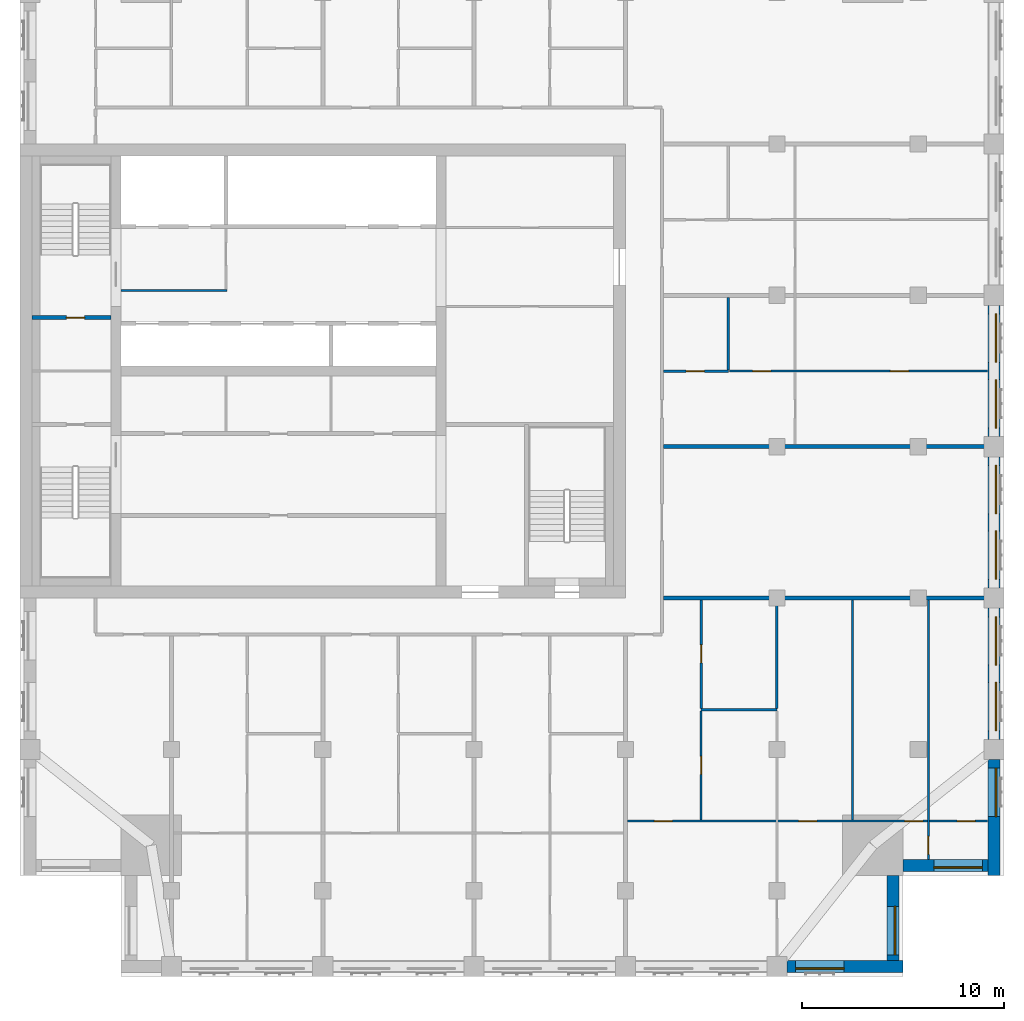
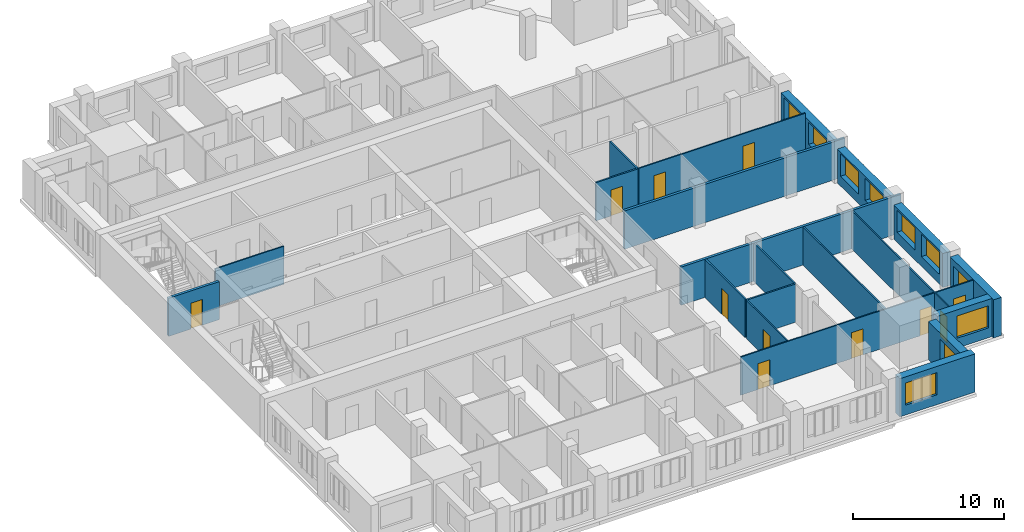
# One storey, part 5 of 11: 21 walls, 11 doors, 10 windows, 21 openings.
"""IFC4 building model written with IfcOpenShell, lengths in metres."""

from ifc_helpers import new_model, si_unit, direction, frame, frame_2d, origin, place, context, subcontext, project, spatial, rectangle, extrude, material, layer, layer_set, type_object, element, fill, save


model = new_model("IFC4")

# Units and contexts
model_context = context("Model", 3, precision=1e-05, world=origin(), true_north=direction((0.0, 1.0)))
body_context = subcontext(model_context, "Body", "Model", "MODEL_VIEW")
ifc_project = project(units=[si_unit("LENGTHUNIT", "METRE"), si_unit("AREAUNIT", "SQUARE_METRE"), si_unit("VOLUMEUNIT", "CUBIC_METRE"), si_unit("PLANEANGLEUNIT", "RADIAN"), si_unit("MASSUNIT", "GRAM", prefix="KILO")], contexts=[model_context])

# Site, building, storey
site_placement = place(None, origin())
site = spatial("IfcSite", under=ifc_project, at=site_placement, CompositionType="ELEMENT")
building_placement = place(site_placement, origin())
building = spatial("IfcBuilding", under=site, at=building_placement, Name="Tamorin Gate", CompositionType="ELEMENT")
storey_placement = place(building_placement, frame((0.0, 0.0, 254.699951171875)))
storey = spatial("IfcBuildingStorey", under=building, at=storey_placement, Name="L64", CompositionType="ELEMENT", Elevation=254.699951171875)

# Wall, opening, window
ifc_material_1 = material(Name="Precast concrete C40/50", Category="concrete")
ifc_layer_1 = layer(ifc_material_1, 0.60009765625)
ifc_layer_set_1 = layer_set([ifc_layer_1], Name="Precast concrete C40/50")
wall_type_1 = type_object("IfcWallType", Name="Board-marked concrete facade panel 600", PredefinedType="SOLIDWALL", material=ifc_layer_set_1)
wall_1_placement = place(storey_placement, frame((68.0, 41.75, 0.0), z_axis=(0.0, 0.0, 1.0), x_axis=(1.0, 0.0, 0.0)))
wall_1 = element("IfcWall", 1, at=wall_1_placement, inside=storey, type_object=wall_type_1, Name="Facade panel", PredefinedType="SOLIDWALL", context=body_context, shape_type="SweptSolid", body=[
    extrude(rectangle(XDim=5.75, YDim=0.60009765625, at=frame_2d((2.875, 0.0))), origin(), (0.0, 0.0, 1.0), 3.10009765625),
])
opening_1_placement = place(wall_1_placement, frame((0.425048828125, 0.0, 0.800048828125)))
opening_1 = element("IfcOpeningElement", 2, at=opening_1_placement, cuts=wall_1, Name="Opening WN1", PredefinedType="OPENING", context=body_context, shape_type="SweptSolid", body=[
    extrude(rectangle(XDim=2.39990234375, YDim=1.800048828125, at=frame_2d((1.199951171875, 0.89990234375))), frame((0.0, 0.31005859375, 0.0), z_axis=(0.0, -1.0, 0.0), x_axis=(1.0, 0.0, 0.0)), (0.0, 0.0, 1.0), 0.6201171875),
])
ifc_material_2 = material(Name="Clear glass in aluminium frame", Category="aluminium")
window_type = type_object("IfcWindowType", Name="Deep-set window 2400x1800", PartitioningType="SINGLE_PANEL", PredefinedType="WINDOW", material=ifc_material_2)
window_1_placement = place(opening_1_placement, origin())
window_1 = element("IfcWindow", 3, at=window_1_placement, inside=storey, type_object=window_type, Name="Deep-set window", OverallHeight=1.800048828125, OverallWidth=2.39990234375, PartitioningType="SINGLE_PANEL", PredefinedType="WINDOW", context=body_context, shape_type="SweptSolid", body=[
    extrude(rectangle(XDim=2.39990234375, YDim=1.800048828125, at=frame_2d((1.199951171875, 0.89990234375))), frame((0.0, -0.070068359375, 0.0), z_axis=(0.0, -1.0, 0.0), x_axis=(1.0, 0.0, 0.0)), (0.0, 0.0, 1.0), 0.06005859375),
])
fill(opening_1, window_1)

wall_2_placement = place(storey_placement, frame((73.25, 42.050048828125, 0.0), z_axis=(0.0, 0.0, 1.0), x_axis=(0.0, 1.0, 0.0)))
wall_2 = element("IfcWall", 4, at=wall_2_placement, inside=storey, type_object=wall_type_1, Name="Facade panel", PredefinedType="SOLIDWALL", context=body_context, shape_type="SweptSolid", body=[
    extrude(rectangle(XDim=4.199951171875, YDim=0.60009765625, at=frame_2d((2.10009765625, 0.0))), origin(), (0.0, 0.0, 1.0), 3.10009765625),
])
opening_2_placement = place(wall_2_placement, frame((0.27490234375, 0.0, 0.800048828125)))
opening_2 = element("IfcOpeningElement", 5, at=opening_2_placement, cuts=wall_2, Name="Opening WN1", PredefinedType="OPENING", context=body_context, shape_type="SweptSolid", body=[
    extrude(rectangle(XDim=2.39990234375, YDim=1.800048828125, at=frame_2d((1.199951171875, 0.89990234375))), frame((0.0, 0.31005859375, 0.0), z_axis=(0.0, -1.0, 0.0), x_axis=(1.0, 0.0, 0.0)), (0.0, 0.0, 1.0), 0.6201171875),
])
window_2_placement = place(opening_2_placement, origin())
window_2 = element("IfcWindow", 6, at=window_2_placement, inside=storey, type_object=window_type, Name="Deep-set window", OverallHeight=1.800048828125, OverallWidth=2.39990234375, PartitioningType="SINGLE_PANEL", PredefinedType="WINDOW", context=body_context, shape_type="SweptSolid", body=[
    extrude(rectangle(XDim=2.39990234375, YDim=1.800048828125, at=frame_2d((1.199951171875, 0.89990234375))), frame((0.0, -0.070068359375, 0.0), z_axis=(0.0, -1.0, 0.0), x_axis=(1.0, 0.0, 0.0)), (0.0, 0.0, 1.0), 0.06005859375),
])
fill(opening_2, window_2)

wall_3_placement = place(storey_placement, frame((73.75, 46.75, 0.0), z_axis=(0.0, 0.0, 1.0), x_axis=(1.0, 0.0, 0.0)))
wall_3 = element("IfcWall", 7, at=wall_3_placement, inside=storey, type_object=wall_type_1, Name="Facade panel", PredefinedType="SOLIDWALL", context=body_context, shape_type="SweptSolid", body=[
    extrude(rectangle(XDim=4.199951171875, YDim=0.60009765625, at=frame_2d((2.10009765625, 0.0))), origin(), (0.0, 0.0, 1.0), 3.10009765625),
])
opening_3_placement = place(wall_3_placement, frame((1.52490234375, 0.0, 0.800048828125)))
opening_3 = element("IfcOpeningElement", 8, at=opening_3_placement, cuts=wall_3, Name="Opening WN1", PredefinedType="OPENING", context=body_context, shape_type="SweptSolid", body=[
    extrude(rectangle(XDim=2.39990234375, YDim=1.800048828125, at=frame_2d((1.199951171875, 0.89990234375))), frame((0.0, 0.31005859375, 0.0), z_axis=(0.0, -1.0, 0.0), x_axis=(1.0, 0.0, 0.0)), (0.0, 0.0, 1.0), 0.6201171875),
])
window_3_placement = place(opening_3_placement, origin())
window_3 = element("IfcWindow", 9, at=window_3_placement, inside=storey, type_object=window_type, Name="Deep-set window", OverallHeight=1.800048828125, OverallWidth=2.39990234375, PartitioningType="SINGLE_PANEL", PredefinedType="WINDOW", context=body_context, shape_type="SweptSolid", body=[
    extrude(rectangle(XDim=2.39990234375, YDim=1.800048828125, at=frame_2d((1.199951171875, 0.89990234375))), frame((0.0, -0.070068359375, 0.0), z_axis=(0.0, -1.0, 0.0), x_axis=(1.0, 0.0, 0.0)), (0.0, 0.0, 1.0), 0.06005859375),
])
fill(opening_3, window_3)

wall_4_placement = place(storey_placement, frame((78.25, 46.25, 0.0), z_axis=(0.0, 0.0, 1.0), x_axis=(0.0, 1.0, 0.0)))
wall_4 = element("IfcWall", 10, at=wall_4_placement, inside=storey, type_object=wall_type_1, Name="Facade panel", PredefinedType="SOLIDWALL", context=body_context, shape_type="SweptSolid", body=[
    extrude(rectangle(XDim=5.75, YDim=0.60009765625, at=frame_2d((2.875, 0.0))), origin(), (0.0, 0.0, 1.0), 3.10009765625),
])
opening_4_placement = place(wall_4_placement, frame((2.925048828125, 0.0, 0.800048828125)))
opening_4 = element("IfcOpeningElement", 11, at=opening_4_placement, cuts=wall_4, Name="Opening WN1", PredefinedType="OPENING", context=body_context, shape_type="SweptSolid", body=[
    extrude(rectangle(XDim=2.39990234375, YDim=1.800048828125, at=frame_2d((1.199951171875, 0.89990234375))), frame((0.0, 0.31005859375, 0.0), z_axis=(0.0, -1.0, 0.0), x_axis=(1.0, 0.0, 0.0)), (0.0, 0.0, 1.0), 0.6201171875),
])
window_4_placement = place(opening_4_placement, origin())
window_4 = element("IfcWindow", 12, at=window_4_placement, inside=storey, type_object=window_type, Name="Deep-set window", OverallHeight=1.800048828125, OverallWidth=2.39990234375, PartitioningType="SINGLE_PANEL", PredefinedType="WINDOW", context=body_context, shape_type="SweptSolid", body=[
    extrude(rectangle(XDim=2.39990234375, YDim=1.800048828125, at=frame_2d((1.199951171875, 0.89990234375))), frame((0.0, -0.070068359375, 0.0), z_axis=(0.0, -1.0, 0.0), x_axis=(1.0, 0.0, 0.0)), (0.0, 0.0, 1.0), 0.06005859375),
])
fill(opening_4, window_4)

# Wall, openings, windows
wall_5_placement = place(storey_placement, frame((78.25, 53.0, 0.0), z_axis=(0.0, 0.0, 1.0), x_axis=(0.0, 1.0, 0.0)))
wall_5 = element("IfcWall", 13, at=wall_5_placement, inside=storey, type_object=wall_type_1, Name="Facade panel", PredefinedType="SOLIDWALL", context=body_context, shape_type="SweptSolid", body=[
    extrude(rectangle(XDim=6.5, YDim=0.60009765625, at=frame_2d((3.25, 0.0))), origin(), (0.0, 0.0, 1.0), 2.75),
])
opening_5_placement = place(wall_5_placement, frame((0.425048828125, 0.0, 0.800048828125)))
opening_5 = element("IfcOpeningElement", 14, at=opening_5_placement, cuts=wall_5, Name="Opening WN1", PredefinedType="OPENING", context=body_context, shape_type="SweptSolid", body=[
    extrude(rectangle(XDim=2.39990234375, YDim=1.800048828125, at=frame_2d((1.199951171875, 0.89990234375))), frame((0.0, 0.31005859375, 0.0), z_axis=(0.0, -1.0, 0.0), x_axis=(1.0, 0.0, 0.0)), (0.0, 0.0, 1.0), 0.6201171875),
])
opening_6_placement = place(wall_5_placement, frame((3.675048828125, 0.0, 0.800048828125)))
opening_6 = element("IfcOpeningElement", 15, at=opening_6_placement, cuts=wall_5, Name="Opening WN1", PredefinedType="OPENING", context=body_context, shape_type="SweptSolid", body=[
    extrude(rectangle(XDim=2.39990234375, YDim=1.800048828125, at=frame_2d((1.199951171875, 0.89990234375))), frame((0.0, 0.31005859375, 0.0), z_axis=(0.0, -1.0, 0.0), x_axis=(1.0, 0.0, 0.0)), (0.0, 0.0, 1.0), 0.6201171875),
])
window_5_placement = place(opening_5_placement, origin())
window_5 = element("IfcWindow", 16, at=window_5_placement, inside=storey, type_object=window_type, Name="Deep-set window", OverallHeight=1.800048828125, OverallWidth=2.39990234375, PartitioningType="SINGLE_PANEL", PredefinedType="WINDOW", context=body_context, shape_type="SweptSolid", body=[
    extrude(rectangle(XDim=2.39990234375, YDim=1.800048828125, at=frame_2d((1.199951171875, 0.89990234375))), frame((0.0, -0.070068359375, 0.0), z_axis=(0.0, -1.0, 0.0), x_axis=(1.0, 0.0, 0.0)), (0.0, 0.0, 1.0), 0.06005859375),
])
fill(opening_5, window_5)
window_6_placement = place(opening_6_placement, origin())
window_6 = element("IfcWindow", 17, at=window_6_placement, inside=storey, type_object=window_type, Name="Deep-set window", OverallHeight=1.800048828125, OverallWidth=2.39990234375, PartitioningType="SINGLE_PANEL", PredefinedType="WINDOW", context=body_context, shape_type="SweptSolid", body=[
    extrude(rectangle(XDim=2.39990234375, YDim=1.800048828125, at=frame_2d((1.199951171875, 0.89990234375))), frame((0.0, -0.070068359375, 0.0), z_axis=(0.0, -1.0, 0.0), x_axis=(1.0, 0.0, 0.0)), (0.0, 0.0, 1.0), 0.06005859375),
])
fill(opening_6, window_6)

wall_6_placement = place(storey_placement, frame((78.25, 60.5, 0.0), z_axis=(0.0, 0.0, 1.0), x_axis=(0.0, 1.0, 0.0)))
wall_6 = element("IfcWall", 18, at=wall_6_placement, inside=storey, type_object=wall_type_1, Name="Facade panel", PredefinedType="SOLIDWALL", context=body_context, shape_type="SweptSolid", body=[
    extrude(rectangle(XDim=6.5, YDim=0.60009765625, at=frame_2d((3.25, 0.0))), origin(), (0.0, 0.0, 1.0), 2.75),
])
opening_7_placement = place(wall_6_placement, frame((0.425048828125, 0.0, 0.800048828125)))
opening_7 = element("IfcOpeningElement", 19, at=opening_7_placement, cuts=wall_6, Name="Opening WN1", PredefinedType="OPENING", context=body_context, shape_type="SweptSolid", body=[
    extrude(rectangle(XDim=2.39990234375, YDim=1.800048828125, at=frame_2d((1.199951171875, 0.89990234375))), frame((0.0, 0.31005859375, 0.0), z_axis=(0.0, -1.0, 0.0), x_axis=(1.0, 0.0, 0.0)), (0.0, 0.0, 1.0), 0.6201171875),
])
opening_8_placement = place(wall_6_placement, frame((3.675048828125, 0.0, 0.800048828125)))
opening_8 = element("IfcOpeningElement", 20, at=opening_8_placement, cuts=wall_6, Name="Opening WN1", PredefinedType="OPENING", context=body_context, shape_type="SweptSolid", body=[
    extrude(rectangle(XDim=2.39990234375, YDim=1.800048828125, at=frame_2d((1.199951171875, 0.89990234375))), frame((0.0, 0.31005859375, 0.0), z_axis=(0.0, -1.0, 0.0), x_axis=(1.0, 0.0, 0.0)), (0.0, 0.0, 1.0), 0.6201171875),
])
window_7_placement = place(opening_7_placement, origin())
window_7 = element("IfcWindow", 21, at=window_7_placement, inside=storey, type_object=window_type, Name="Deep-set window", OverallHeight=1.800048828125, OverallWidth=2.39990234375, PartitioningType="SINGLE_PANEL", PredefinedType="WINDOW", context=body_context, shape_type="SweptSolid", body=[
    extrude(rectangle(XDim=2.39990234375, YDim=1.800048828125, at=frame_2d((1.199951171875, 0.89990234375))), frame((0.0, -0.070068359375, 0.0), z_axis=(0.0, -1.0, 0.0), x_axis=(1.0, 0.0, 0.0)), (0.0, 0.0, 1.0), 0.06005859375),
])
fill(opening_7, window_7)
window_8_placement = place(opening_8_placement, origin())
window_8 = element("IfcWindow", 22, at=window_8_placement, inside=storey, type_object=window_type, Name="Deep-set window", OverallHeight=1.800048828125, OverallWidth=2.39990234375, PartitioningType="SINGLE_PANEL", PredefinedType="WINDOW", context=body_context, shape_type="SweptSolid", body=[
    extrude(rectangle(XDim=2.39990234375, YDim=1.800048828125, at=frame_2d((1.199951171875, 0.89990234375))), frame((0.0, -0.070068359375, 0.0), z_axis=(0.0, -1.0, 0.0), x_axis=(1.0, 0.0, 0.0)), (0.0, 0.0, 1.0), 0.06005859375),
])
fill(opening_8, window_8)

wall_7_placement = place(storey_placement, frame((78.25, 68.0, 0.0), z_axis=(0.0, 0.0, 1.0), x_axis=(0.0, 1.0, 0.0)))
wall_7 = element("IfcWall", 23, at=wall_7_placement, inside=storey, type_object=wall_type_1, Name="Facade panel", PredefinedType="SOLIDWALL", context=body_context, shape_type="SweptSolid", body=[
    extrude(rectangle(XDim=6.5, YDim=0.60009765625, at=frame_2d((3.25, 0.0))), origin(), (0.0, 0.0, 1.0), 2.75),
])
opening_9_placement = place(wall_7_placement, frame((0.425048828125, 0.0, 0.800048828125)))
opening_9 = element("IfcOpeningElement", 24, at=opening_9_placement, cuts=wall_7, Name="Opening WN1", PredefinedType="OPENING", context=body_context, shape_type="SweptSolid", body=[
    extrude(rectangle(XDim=2.39990234375, YDim=1.800048828125, at=frame_2d((1.199951171875, 0.89990234375))), frame((0.0, 0.31005859375, 0.0), z_axis=(0.0, -1.0, 0.0), x_axis=(1.0, 0.0, 0.0)), (0.0, 0.0, 1.0), 0.6201171875),
])
opening_10_placement = place(wall_7_placement, frame((3.675048828125, 0.0, 0.800048828125)))
opening_10 = element("IfcOpeningElement", 25, at=opening_10_placement, cuts=wall_7, Name="Opening WN1", PredefinedType="OPENING", context=body_context, shape_type="SweptSolid", body=[
    extrude(rectangle(XDim=2.39990234375, YDim=1.800048828125, at=frame_2d((1.199951171875, 0.89990234375))), frame((0.0, 0.31005859375, 0.0), z_axis=(0.0, -1.0, 0.0), x_axis=(1.0, 0.0, 0.0)), (0.0, 0.0, 1.0), 0.6201171875),
])
window_9_placement = place(opening_9_placement, origin())
window_9 = element("IfcWindow", 26, at=window_9_placement, inside=storey, type_object=window_type, Name="Deep-set window", OverallHeight=1.800048828125, OverallWidth=2.39990234375, PartitioningType="SINGLE_PANEL", PredefinedType="WINDOW", context=body_context, shape_type="SweptSolid", body=[
    extrude(rectangle(XDim=2.39990234375, YDim=1.800048828125, at=frame_2d((1.199951171875, 0.89990234375))), frame((0.0, -0.070068359375, 0.0), z_axis=(0.0, -1.0, 0.0), x_axis=(1.0, 0.0, 0.0)), (0.0, 0.0, 1.0), 0.06005859375),
])
fill(opening_9, window_9)
window_10_placement = place(opening_10_placement, origin())
window_10 = element("IfcWindow", 27, at=window_10_placement, inside=storey, type_object=window_type, Name="Deep-set window", OverallHeight=1.800048828125, OverallWidth=2.39990234375, PartitioningType="SINGLE_PANEL", PredefinedType="WINDOW", context=body_context, shape_type="SweptSolid", body=[
    extrude(rectangle(XDim=2.39990234375, YDim=1.800048828125, at=frame_2d((1.199951171875, 0.89990234375))), frame((0.0, -0.070068359375, 0.0), z_axis=(0.0, -1.0, 0.0), x_axis=(1.0, 0.0, 0.0)), (0.0, 0.0, 1.0), 0.06005859375),
])
fill(opening_10, window_10)

# Walls
ifc_material_3 = material(Name="Gypsum board partition")
ifc_layer_2 = layer(ifc_material_3, 0.199951171875)
ifc_layer_set_2 = layer_set([ifc_layer_2], Name="Demising wall 200")
wall_type_2 = type_object("IfcWallType", Name="Demising wall 200", PredefinedType="PARTITIONING", material=ifc_layer_set_2)
for number, where, z_axis, x_axis, name in (
    (28, (61.875, 60.0, 0.0), (0.0, 0.0, 1.0), (1.0, 0.0, 0.0), "Demising wall 200"),
    (29, (61.875, 67.5, 0.0), (0.0, 0.0, 1.0), (1.0, 0.0, 0.0), "Demising wall 200"),
):
    element("IfcWall", number, at=place(storey_placement, frame(where, z_axis=z_axis, x_axis=x_axis)), inside=storey, type_object=wall_type_2, Name=name, PredefinedType="PARTITIONING", context=body_context, shape_type="SweptSolid", body=[
        extrude(rectangle(XDim=16.875, YDim=0.199951171875, at=frame_2d((8.4375, 0.0))), origin(), (0.0, 0.0, 1.0), 3.10009765625),
    ])
ifc_material_4 = material(Name="Fire-rated gypsum board partition")
ifc_layer_3 = layer(ifc_material_4, 0.10009765625)
ifc_layer_set_3 = layer_set([ifc_layer_3], Name="Lobby wall 100 EI 60")
wall_type_3 = type_object("IfcWallType", Name="Lobby wall 100 EI 60", PredefinedType="PARTITIONING", material=ifc_layer_set_3)
wall_8_placement = place(storey_placement, frame((35.0, 75.25, 0.0), z_axis=(0.0, 0.0, 1.0), x_axis=(1.0, 0.0, 0.0)))
element("IfcWall", 30, at=wall_8_placement, inside=storey, type_object=wall_type_3, Name="Firefighting lobby wall", PredefinedType="PARTITIONING", context=body_context, shape_type="SweptSolid", body=[
    extrude(rectangle(XDim=5.25, YDim=0.10009765625, at=frame_2d((2.625, 0.0))), origin(), (0.0, 0.0, 1.0), 3.090087890625),
])

# Wall, openings, doors
ifc_layer_4 = layer(ifc_material_3, 0.10009765625)
ifc_layer_set_4 = layer_set([ifc_layer_4], Name="Room partition 100")
wall_type_4 = type_object("IfcWallType", Name="Room partition 100", PredefinedType="PARTITIONING", material=ifc_layer_set_4)
wall_9_placement = place(storey_placement, frame((60.10009765625, 48.949951171875, 0.0), z_axis=(0.0, 0.0, 1.0), x_axis=(1.0, 0.0, 0.0)))
wall_9 = element("IfcWall", 31, at=wall_9_placement, inside=storey, type_object=wall_type_4, Name="Room partition 100", PredefinedType="PARTITIONING", context=body_context, shape_type="SweptSolid", body=[
    extrude(rectangle(XDim=17.83984375, YDim=0.10009765625, at=frame_2d((8.919921875, 0.0))), origin(), (0.0, 0.0, 1.0), 3.10009765625),
])
opening_11_placement = place(wall_9_placement, frame((1.324951171875, 0.0, 0.0)))
opening_11 = element("IfcOpeningElement", 32, at=opening_11_placement, cuts=wall_9, Name="Opening DR6017", PredefinedType="OPENING", context=body_context, shape_type="SweptSolid", body=[
    extrude(rectangle(XDim=0.89990234375, YDim=2.10009765625, at=frame_2d((0.449951171875, 1.050048828125))), frame((0.0, 0.06005859375, 0.0), z_axis=(0.0, -1.0, 0.0), x_axis=(1.0, 0.0, 0.0)), (0.0, 0.0, 1.0), 0.1201171875),
])
opening_12_placement = place(wall_9_placement, frame((8.47509765625, 0.0, 0.0)))
opening_12 = element("IfcOpeningElement", 33, at=opening_12_placement, cuts=wall_9, Name="Opening DR6020", PredefinedType="OPENING", context=body_context, shape_type="SweptSolid", body=[
    extrude(rectangle(XDim=0.89990234375, YDim=2.10009765625, at=frame_2d((0.449951171875, 1.050048828125))), frame((0.0, 0.06005859375, 0.0), z_axis=(0.0, -1.0, 0.0), x_axis=(1.0, 0.0, 0.0)), (0.0, 0.0, 1.0), 0.1201171875),
])
opening_13_placement = place(wall_9_placement, frame((13.72509765625, 0.0, 0.0)))
opening_13 = element("IfcOpeningElement", 34, at=opening_13_placement, cuts=wall_9, Name="Opening DR6021", PredefinedType="OPENING", context=body_context, shape_type="SweptSolid", body=[
    extrude(rectangle(XDim=0.89990234375, YDim=2.10009765625, at=frame_2d((0.449951171875, 1.050048828125))), frame((0.0, 0.06005859375, 0.0), z_axis=(0.0, -1.0, 0.0), x_axis=(1.0, 0.0, 0.0)), (0.0, 0.0, 1.0), 0.1201171875),
])
opening_14_placement = place(wall_9_placement, frame((16.324951171875, 0.0, 0.0)))
opening_14 = element("IfcOpeningElement", 35, at=opening_14_placement, cuts=wall_9, Name="Opening DR6022", PredefinedType="OPENING", context=body_context, shape_type="SweptSolid", body=[
    extrude(rectangle(XDim=0.89990234375, YDim=2.10009765625, at=frame_2d((0.449951171875, 1.050048828125))), frame((0.0, 0.06005859375, 0.0), z_axis=(0.0, -1.0, 0.0), x_axis=(1.0, 0.0, 0.0)), (0.0, 0.0, 1.0), 0.1201171875),
])
ifc_material_5 = material(Name="Timber door leaf", Category="wood")
door_type_1 = type_object("IfcDoorType", Name="Door 900 x 2100", OperationType="NOTDEFINED", PredefinedType="DOOR", material=ifc_material_5)
door_1_placement = place(opening_11_placement, origin())
door_1 = element("IfcDoor", 36, at=door_1_placement, inside=storey, type_object=door_type_1, Name="Door DR6017", OperationType="SINGLE_SWING_LEFT", OverallHeight=2.10009765625, OverallWidth=0.89990234375, PredefinedType="DOOR", context=body_context, shape_type="SweptSolid", body=[
    extrude(rectangle(XDim=0.89990234375, YDim=2.10009765625, at=frame_2d((0.449951171875, 1.050048828125))), frame((0.0, 0.02490234375, 0.0), z_axis=(0.0, -1.0, 0.0), x_axis=(1.0, 0.0, 0.0)), (0.0, 0.0, 1.0), 0.050048828125),
])
fill(opening_11, door_1)
door_2_placement = place(opening_12_placement, origin())
door_2 = element("IfcDoor", 37, at=door_2_placement, inside=storey, type_object=door_type_1, Name="Door DR6020", OperationType="SINGLE_SWING_LEFT", OverallHeight=2.10009765625, OverallWidth=0.89990234375, PredefinedType="DOOR", context=body_context, shape_type="SweptSolid", body=[
    extrude(rectangle(XDim=0.89990234375, YDim=2.10009765625, at=frame_2d((0.449951171875, 1.050048828125))), frame((0.0, 0.02490234375, 0.0), z_axis=(0.0, -1.0, 0.0), x_axis=(1.0, 0.0, 0.0)), (0.0, 0.0, 1.0), 0.050048828125),
])
fill(opening_12, door_2)
door_3_placement = place(opening_13_placement, origin())
door_3 = element("IfcDoor", 38, at=door_3_placement, inside=storey, type_object=door_type_1, Name="Door DR6021", OperationType="SINGLE_SWING_RIGHT", OverallHeight=2.10009765625, OverallWidth=0.89990234375, PredefinedType="DOOR", context=body_context, shape_type="SweptSolid", body=[
    extrude(rectangle(XDim=0.89990234375, YDim=2.10009765625, at=frame_2d((0.449951171875, 1.050048828125))), frame((0.0, 0.02490234375, 0.0), z_axis=(0.0, -1.0, 0.0), x_axis=(1.0, 0.0, 0.0)), (0.0, 0.0, 1.0), 0.050048828125),
])
fill(opening_13, door_3)
door_4_placement = place(opening_14_placement, origin())
door_4 = element("IfcDoor", 39, at=door_4_placement, inside=storey, type_object=door_type_1, Name="Door DR6022", OperationType="SINGLE_SWING_LEFT", OverallHeight=2.10009765625, OverallWidth=0.89990234375, PredefinedType="DOOR", context=body_context, shape_type="SweptSolid", body=[
    extrude(rectangle(XDim=0.89990234375, YDim=2.10009765625, at=frame_2d((0.449951171875, 1.050048828125))), frame((0.0, 0.02490234375, 0.0), z_axis=(0.0, -1.0, 0.0), x_axis=(1.0, 0.0, 0.0)), (0.0, 0.0, 1.0), 0.050048828125),
])
fill(opening_14, door_4)

wall_10_placement = place(storey_placement, frame((65.16259765625, 71.25, 0.0), z_axis=(0.0, 0.0, 1.0), x_axis=(1.0, 0.0, 0.0)))
wall_10 = element("IfcWall", 40, at=wall_10_placement, inside=storey, type_object=wall_type_4, Name="Room partition 100", PredefinedType="PARTITIONING", context=body_context, shape_type="SweptSolid", body=[
    extrude(rectangle(XDim=12.77734375, YDim=0.10009765625, at=frame_2d((6.388671875, 0.0))), origin(), (0.0, 0.0, 1.0), 3.10009765625),
])
opening_15_placement = place(wall_10_placement, frame((1.137451171875, 0.0, 0.0)))
opening_15 = element("IfcOpeningElement", 41, at=opening_15_placement, cuts=wall_10, Name="Opening DR6047", PredefinedType="OPENING", context=body_context, shape_type="SweptSolid", body=[
    extrude(rectangle(XDim=0.89990234375, YDim=2.10009765625, at=frame_2d((0.449951171875, 1.050048828125))), frame((0.0, 0.06005859375, 0.0), z_axis=(0.0, -1.0, 0.0), x_axis=(1.0, 0.0, 0.0)), (0.0, 0.0, 1.0), 0.1201171875),
])
opening_16_placement = place(wall_10_placement, frame((7.96240234375, 0.0, 0.0)))
opening_16 = element("IfcOpeningElement", 42, at=opening_16_placement, cuts=wall_10, Name="Opening DR6049", PredefinedType="OPENING", context=body_context, shape_type="SweptSolid", body=[
    extrude(rectangle(XDim=0.89990234375, YDim=2.10009765625, at=frame_2d((0.449951171875, 1.050048828125))), frame((0.0, 0.06005859375, 0.0), z_axis=(0.0, -1.0, 0.0), x_axis=(1.0, 0.0, 0.0)), (0.0, 0.0, 1.0), 0.1201171875),
])
door_5_placement = place(opening_15_placement, origin())
door_5 = element("IfcDoor", 43, at=door_5_placement, inside=storey, type_object=door_type_1, Name="Door DR6047", OperationType="SINGLE_SWING_LEFT", OverallHeight=2.10009765625, OverallWidth=0.89990234375, PredefinedType="DOOR", context=body_context, shape_type="SweptSolid", body=[
    extrude(rectangle(XDim=0.89990234375, YDim=2.10009765625, at=frame_2d((0.449951171875, 1.050048828125))), frame((0.0, 0.02490234375, 0.0), z_axis=(0.0, -1.0, 0.0), x_axis=(1.0, 0.0, 0.0)), (0.0, 0.0, 1.0), 0.050048828125),
])
fill(opening_15, door_5)
door_6_placement = place(opening_16_placement, origin())
door_6 = element("IfcDoor", 44, at=door_6_placement, inside=storey, type_object=door_type_1, Name="Door DR6049", OperationType="SINGLE_SWING_LEFT", OverallHeight=2.10009765625, OverallWidth=0.89990234375, PredefinedType="DOOR", context=body_context, shape_type="SweptSolid", body=[
    extrude(rectangle(XDim=0.89990234375, YDim=2.10009765625, at=frame_2d((0.449951171875, 1.050048828125))), frame((0.0, 0.02490234375, 0.0), z_axis=(0.0, -1.0, 0.0), x_axis=(1.0, 0.0, 0.0)), (0.0, 0.0, 1.0), 0.050048828125),
])
fill(opening_16, door_6)

# Wall, opening, door
wall_11_placement = place(storey_placement, frame((63.75, 49.0, 0.0), z_axis=(0.0, 0.0, 1.0), x_axis=(0.0, 1.0, 0.0)))
wall_11 = element("IfcWall", 45, at=wall_11_placement, inside=storey, type_object=wall_type_4, Name="Room partition 100", PredefinedType="PARTITIONING", context=body_context, shape_type="SweptSolid", body=[
    extrude(rectangle(XDim=5.41259765625, YDim=0.10009765625, at=frame_2d((2.706298828125, 0.0))), origin(), (0.0, 0.0, 1.0), 3.10009765625),
])
opening_17_placement = place(wall_11_placement, frame((2.262451171875, 0.0, 0.0)))
opening_17 = element("IfcOpeningElement", 46, at=opening_17_placement, cuts=wall_11, Name="Opening DR6018", PredefinedType="OPENING", context=body_context, shape_type="SweptSolid", body=[
    extrude(rectangle(XDim=0.89990234375, YDim=2.10009765625, at=frame_2d((0.449951171875, 1.050048828125))), frame((0.0, 0.06005859375, 0.0), z_axis=(0.0, -1.0, 0.0), x_axis=(1.0, 0.0, 0.0)), (0.0, 0.0, 1.0), 0.1201171875),
])
door_7_placement = place(opening_17_placement, origin())
door_7 = element("IfcDoor", 47, at=door_7_placement, inside=storey, type_object=door_type_1, Name="Door DR6018", OperationType="SINGLE_SWING_RIGHT", OverallHeight=2.10009765625, OverallWidth=0.89990234375, PredefinedType="DOOR", context=body_context, shape_type="SweptSolid", body=[
    extrude(rectangle(XDim=0.89990234375, YDim=2.10009765625, at=frame_2d((0.449951171875, 1.050048828125))), frame((0.0, 0.02490234375, 0.0), z_axis=(0.0, -1.0, 0.0), x_axis=(1.0, 0.0, 0.0)), (0.0, 0.0, 1.0), 0.050048828125),
])
fill(opening_17, door_7)

# Wall
wall_12_placement = place(storey_placement, frame((71.25, 49.0, 0.0), z_axis=(0.0, 0.0, 1.0), x_axis=(0.0, 1.0, 0.0)))
element("IfcWall", 48, at=wall_12_placement, inside=storey, type_object=wall_type_4, Name="Room partition 100", PredefinedType="PARTITIONING", context=body_context, shape_type="SweptSolid", body=[
    extrude(rectangle(XDim=10.89990234375, YDim=0.10009765625, at=frame_2d((5.449951171875, 0.0))), origin(), (0.0, 0.0, 1.0), 3.10009765625),
])

# Wall, opening, door
wall_13_placement = place(storey_placement, frame((75.0, 47.06005859375, 0.0), z_axis=(0.0, 0.0, 1.0), x_axis=(0.0, 1.0, 0.0)))
wall_13 = element("IfcWall", 49, at=wall_13_placement, inside=storey, type_object=wall_type_4, Name="Room partition 100", PredefinedType="PARTITIONING", context=body_context, shape_type="SweptSolid", body=[
    extrude(rectangle(XDim=12.83984375, YDim=0.10009765625, at=frame_2d((6.419921875, 0.0))), origin(), (0.0, 0.0, 1.0), 3.10009765625),
])
opening_18_placement = place(wall_13_placement, frame((0.239990234375, 0.0, 0.0)))
opening_18 = element("IfcOpeningElement", 50, at=opening_18_placement, cuts=wall_13, Name="Opening DR6024", PredefinedType="OPENING", context=body_context, shape_type="SweptSolid", body=[
    extrude(rectangle(XDim=0.89990234375, YDim=2.10009765625, at=frame_2d((0.449951171875, 1.050048828125))), frame((0.0, 0.06005859375, 0.0), z_axis=(0.0, -1.0, 0.0), x_axis=(1.0, 0.0, 0.0)), (0.0, 0.0, 1.0), 0.1201171875),
])
door_8_placement = place(opening_18_placement, origin())
door_8 = element("IfcDoor", 51, at=door_8_placement, inside=storey, type_object=door_type_1, Name="Door DR6024", OperationType="SINGLE_SWING_RIGHT", OverallHeight=2.10009765625, OverallWidth=0.89990234375, PredefinedType="DOOR", context=body_context, shape_type="SweptSolid", body=[
    extrude(rectangle(XDim=0.89990234375, YDim=2.10009765625, at=frame_2d((0.449951171875, 1.050048828125))), frame((0.0, 0.02490234375, 0.0), z_axis=(0.0, -1.0, 0.0), x_axis=(1.0, 0.0, 0.0)), (0.0, 0.0, 1.0), 0.050048828125),
])
fill(opening_18, door_8)

ifc_material_6 = material(Name="Concrete C40/50", Category="concrete")
ifc_layer_5 = layer(ifc_material_6, 0.199951171875)
ifc_layer_set_5 = layer_set([ifc_layer_5], Name="Stair enclosure wall 200 EI 120 C40/50")
wall_type_5 = type_object("IfcWallType", Name="Stair enclosure wall 200 EI 120 C40/50", PredefinedType="SOLIDWALL", material=ifc_layer_set_5)
wall_14_placement = place(storey_placement, frame((30.60009765625, 73.89990234375, 0.0), z_axis=(0.0, 0.0, 1.0), x_axis=(1.0, 0.0, 0.0)))
wall_14 = element("IfcWall", 52, at=wall_14_placement, inside=storey, type_object=wall_type_5, Name="Stair enclosure wall", PredefinedType="SOLIDWALL", context=body_context, shape_type="SweptSolid", body=[
    extrude(rectangle(XDim=3.89990234375, YDim=0.199951171875, at=frame_2d((1.949951171875, 0.0))), origin(), (0.0, 0.0, 1.0), 3.090087890625),
])
opening_19_placement = place(wall_14_placement, frame((1.699951171875, 0.0, 0.0)))
opening_19 = element("IfcOpeningElement", 53, at=opening_19_placement, cuts=wall_14, Name="Opening DR1", PredefinedType="OPENING", context=body_context, shape_type="SweptSolid", body=[
    extrude(rectangle(XDim=0.89990234375, YDim=2.10009765625, at=frame_2d((0.449951171875, 1.050048828125))), frame((0.0, 0.10986328125, 0.0), z_axis=(0.0, -1.0, 0.0), x_axis=(1.0, 0.0, 0.0)), (0.0, 0.0, 1.0), 0.219970703125),
])
ifc_material_7 = material(Name="Steel fire door", Category="steel")
door_type_2 = type_object("IfcDoorType", Name="Riser access door 900 x 2100 EI 120", OperationType="SINGLE_SWING_LEFT", PredefinedType="DOOR", material=ifc_material_7)
door_9_placement = place(opening_19_placement, origin())
door_9 = element("IfcDoor", 54, at=door_9_placement, inside=storey, type_object=door_type_2, Name="Communications riser door", OperationType="SINGLE_SWING_RIGHT", OverallHeight=2.10009765625, OverallWidth=0.89990234375, PredefinedType="DOOR", context=body_context, shape_type="SweptSolid", body=[
    extrude(rectangle(XDim=0.89990234375, YDim=2.10009765625, at=frame_2d((0.449951171875, 1.050048828125))), frame((0.0, 0.02490234375, 0.0), z_axis=(0.0, -1.0, 0.0), x_axis=(1.0, 0.0, 0.0)), (0.0, 0.0, 1.0), 0.050048828125),
])
fill(opening_19, door_9)

# Wall
ifc_layer_6 = layer(ifc_material_3, 0.125)
ifc_layer_set_6 = layer_set([ifc_layer_6], Name="Wet wall 125")
wall_type_6 = type_object("IfcWallType", Name="Wet wall 125", PredefinedType="PARTITIONING", material=ifc_layer_set_6)
wall_15_placement = place(storey_placement, frame((63.75, 54.47509765625, 0.0), z_axis=(0.0, 0.0, 1.0), x_axis=(1.0, 0.0, 0.0)))
element("IfcWall", 55, at=wall_15_placement, inside=storey, type_object=wall_type_6, Name="Wet wall 125", PredefinedType="PARTITIONING", context=body_context, shape_type="SweptSolid", body=[
    extrude(rectangle(XDim=3.75, YDim=0.125, at=frame_2d((1.875, 0.0))), origin(), (0.0, 0.0, 1.0), 3.10009765625),
])

# Wall, opening, door
wall_16_placement = place(storey_placement, frame((61.875, 71.25, 0.0), z_axis=(0.0, 0.0, 1.0), x_axis=(1.0, 0.0, 0.0)))
wall_16 = element("IfcWall", 56, at=wall_16_placement, inside=storey, type_object=wall_type_6, Name="Wet wall 125", PredefinedType="PARTITIONING", context=body_context, shape_type="SweptSolid", body=[
    extrude(rectangle(XDim=3.22509765625, YDim=0.125, at=frame_2d((1.612548828125, 0.0))), origin(), (0.0, 0.0, 1.0), 3.10009765625),
])
opening_20_placement = place(wall_16_placement, frame((1.125, 0.0, 0.0)))
opening_20 = element("IfcOpeningElement", 57, at=opening_20_placement, cuts=wall_16, Name="Opening DR6048", PredefinedType="OPENING", context=body_context, shape_type="SweptSolid", body=[
    extrude(rectangle(XDim=0.89990234375, YDim=2.10009765625, at=frame_2d((0.449951171875, 1.050048828125))), frame((0.0, 0.072509765625, 0.0), z_axis=(0.0, -1.0, 0.0), x_axis=(1.0, 0.0, 0.0)), (0.0, 0.0, 1.0), 0.14501953125),
])
door_10_placement = place(opening_20_placement, origin())
door_10 = element("IfcDoor", 58, at=door_10_placement, inside=storey, type_object=door_type_1, Name="Door DR6048", OperationType="SINGLE_SWING_RIGHT", OverallHeight=2.10009765625, OverallWidth=0.89990234375, PredefinedType="DOOR", context=body_context, shape_type="SweptSolid", body=[
    extrude(rectangle(XDim=0.89990234375, YDim=2.10009765625, at=frame_2d((0.449951171875, 1.050048828125))), frame((0.0, 0.02490234375, 0.0), z_axis=(0.0, -1.0, 0.0), x_axis=(1.0, 0.0, 0.0)), (0.0, 0.0, 1.0), 0.050048828125),
])
fill(opening_20, door_10)

wall_17_placement = place(storey_placement, frame((63.75, 54.53759765625, 0.0), z_axis=(0.0, 0.0, 1.0), x_axis=(0.0, 1.0, 0.0)))
wall_17 = element("IfcWall", 59, at=wall_17_placement, inside=storey, type_object=wall_type_6, Name="Wet wall 125", PredefinedType="PARTITIONING", context=body_context, shape_type="SweptSolid", body=[
    extrude(rectangle(XDim=5.3623046875, YDim=0.125, at=frame_2d((2.68115234375, 0.0))), origin(), (0.0, 0.0, 1.0), 3.10009765625),
])
opening_21_placement = place(wall_17_placement, frame((2.25, 0.0, 0.0)))
opening_21 = element("IfcOpeningElement", 60, at=opening_21_placement, cuts=wall_17, Name="Opening DR6019", PredefinedType="OPENING", context=body_context, shape_type="SweptSolid", body=[
    extrude(rectangle(XDim=0.89990234375, YDim=2.10009765625, at=frame_2d((0.449951171875, 1.050048828125))), frame((0.0, 0.072509765625, 0.0), z_axis=(0.0, -1.0, 0.0), x_axis=(1.0, 0.0, 0.0)), (0.0, 0.0, 1.0), 0.14501953125),
])
door_11_placement = place(opening_21_placement, origin())
door_11 = element("IfcDoor", 61, at=door_11_placement, inside=storey, type_object=door_type_1, Name="Door DR6019", OperationType="SINGLE_SWING_RIGHT", OverallHeight=2.10009765625, OverallWidth=0.89990234375, PredefinedType="DOOR", context=body_context, shape_type="SweptSolid", body=[
    extrude(rectangle(XDim=0.89990234375, YDim=2.10009765625, at=frame_2d((0.449951171875, 1.050048828125))), frame((0.0, 0.02490234375, 0.0), z_axis=(0.0, -1.0, 0.0), x_axis=(1.0, 0.0, 0.0)), (0.0, 0.0, 1.0), 0.050048828125),
])
fill(opening_21, door_11)

# Walls
wall_18_placement = place(storey_placement, frame((65.10009765625, 71.3125, 0.0), z_axis=(0.0, 0.0, 1.0), x_axis=(0.0, 1.0, 0.0)))
element("IfcWall", 62, at=wall_18_placement, inside=storey, type_object=wall_type_6, Name="Wet wall 125", PredefinedType="PARTITIONING", context=body_context, shape_type="SweptSolid", body=[
    extrude(rectangle(XDim=3.58740234375, YDim=0.125, at=frame_2d((1.793701171875, 0.0))), origin(), (0.0, 0.0, 1.0), 3.10009765625),
])
wall_19_placement = place(storey_placement, frame((67.5, 54.53759765625, 0.0), z_axis=(0.0, 0.0, 1.0), x_axis=(0.0, 1.0, 0.0)))
element("IfcWall", 63, at=wall_19_placement, inside=storey, type_object=wall_type_6, Name="Wet wall 125", PredefinedType="PARTITIONING", context=body_context, shape_type="SweptSolid", body=[
    extrude(rectangle(XDim=5.3623046875, YDim=0.125, at=frame_2d((2.68115234375, 0.0))), origin(), (0.0, 0.0, 1.0), 3.10009765625),
])

save(model, "model.ifc")
